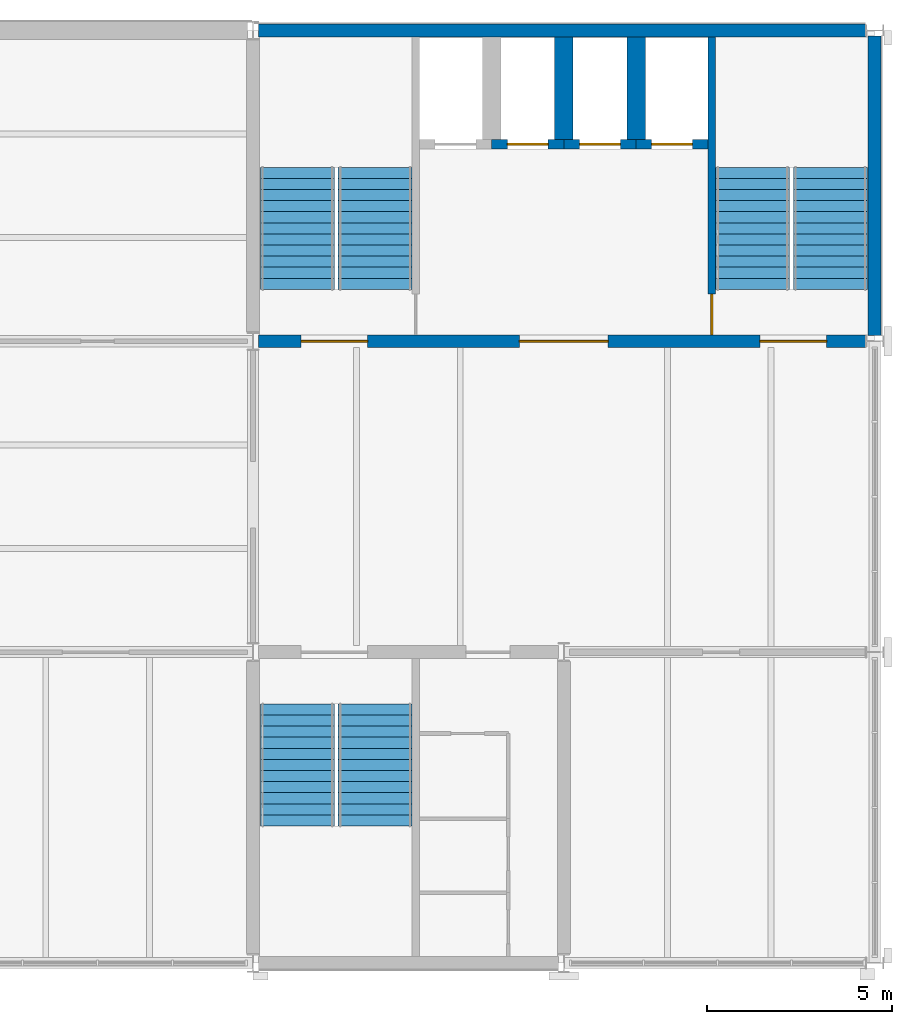
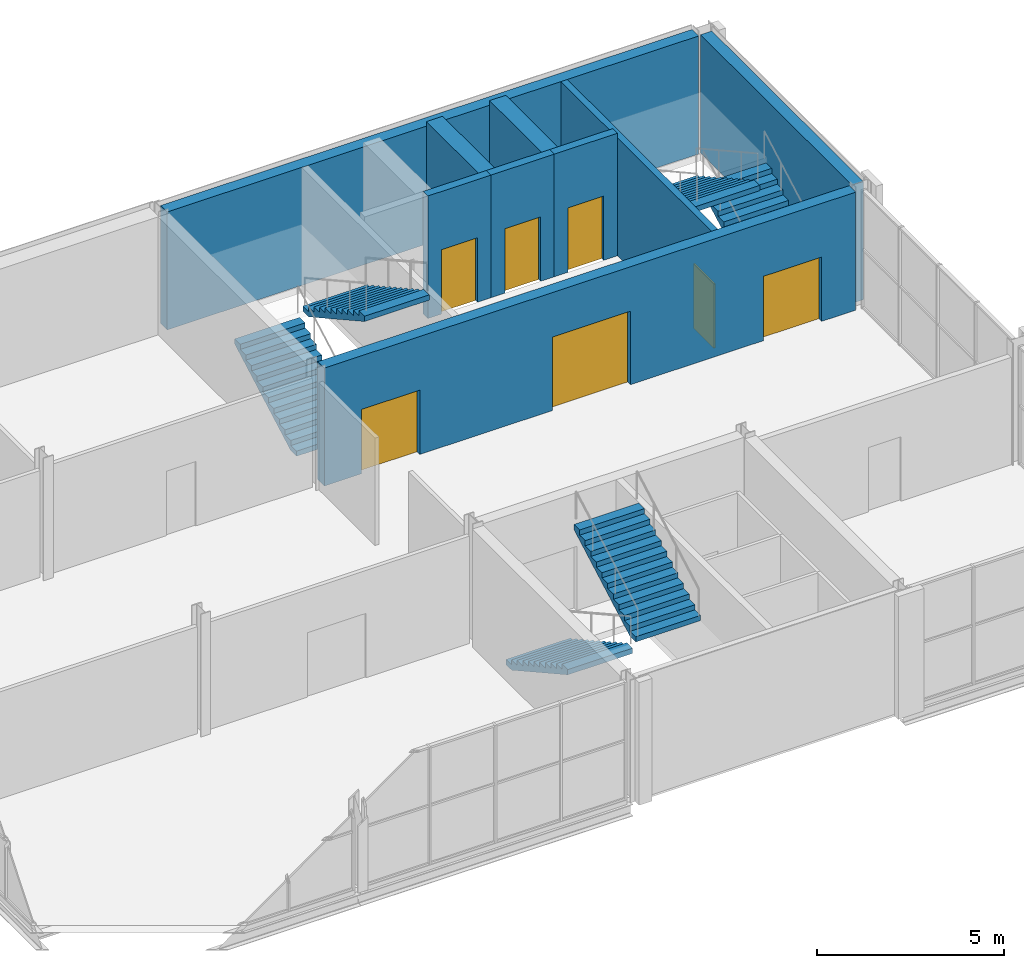
# One storey, part 9 of 12: 9 walls, 7 doors, 6 stair flights, 7 openings, 3 elements without a shape of their own.
"""IFC4 building model written with IfcOpenShell, lengths in metres."""

from ifc_helpers import new_model, si_unit, direction, frame, frame_2d, origin, place, context, subcontext, project, spatial, polyline, rectangle, outline, extrude, material, layer, layer_set, type_object, element, fill, aggregate, save


model = new_model("IFC4")

# Units and contexts
model_context = context("Model", 3, precision=1e-05, world=origin(), true_north=direction((0.0, 1.0)))
body_context = subcontext(model_context, "Body", "Model", "MODEL_VIEW")
ifc_project = project(units=[si_unit("LENGTHUNIT", "METRE"), si_unit("AREAUNIT", "SQUARE_METRE"), si_unit("VOLUMEUNIT", "CUBIC_METRE"), si_unit("PLANEANGLEUNIT", "RADIAN"), si_unit("MASSUNIT", "GRAM", prefix="KILO")], contexts=[model_context])

# Site, building, storey
site_placement = place(None, origin())
site = spatial("IfcSite", under=ifc_project, at=site_placement, CompositionType="ELEMENT")
building_placement = place(site_placement, origin())
building = spatial("IfcBuilding", under=site, at=building_placement, Name="Galleria Vessillo Department Store", CompositionType="ELEMENT")
storey_placement = place(building_placement, frame((0.0, 0.0, 43.60009765625)))
storey = spatial("IfcBuildingStorey", under=building, at=storey_placement, Name="L09", CompositionType="ELEMENT", Elevation=43.60009765625)

# Walls
ifc_material_1 = material(Name="Solid clay block masonry", Category="masonry")
ifc_layer_1 = layer(ifc_material_1, 0.5)
ifc_layer_set_1 = layer_set([ifc_layer_1], Name="Solid clay block masonry")
wall_type_1 = type_object("IfcWallType", Name="Lift shaft partition wall 500 mm", PredefinedType="SOLIDWALL", material=ifc_layer_set_1)
for number, where, z_axis, x_axis, name in (
    (1, (109.199951171875, 62.824951171875, 0.0), (0.0, 0.0, 1.0), (0.0, -1.0, 0.0), "Lift shaft partition wall T2 L09"),
    (2, (111.14990234375, 62.824951171875, 0.0), (0.0, 0.0, 1.0), (0.0, -1.0, 0.0), "Lift shaft partition wall T3 L09"),
):
    element("IfcWall", number, at=place(storey_placement, frame(where, z_axis=z_axis, x_axis=x_axis)), inside=storey, type_object=wall_type_1, Name=name, PredefinedType="SOLIDWALL", context=body_context, shape_type="SweptSolid", body=[
        extrude(rectangle(XDim=2.77490234375, YDim=0.5, at=frame_2d((1.387451171875, 0.0))), origin(), (0.0, 0.0, 1.0), 4.0),
    ])

# Wall, opening, door
ifc_material_2 = material(Name="Solid clay block masonry", Category="masonry")
ifc_layer_2 = layer(ifc_material_2, 0.25)
ifc_layer_set_2 = layer_set([ifc_layer_2], Name="Solid clay block masonry")
wall_type_2 = type_object("IfcWallType", Name="Lift shaft wall 250 mm", PredefinedType="SOLIDWALL", material=ifc_layer_set_2)
wall_1_placement = place(storey_placement, frame((107.25, 59.925048828125, 0.0), z_axis=(0.0, 0.0, 1.0), x_axis=(1.0, 0.0, 0.0)))
wall_1 = element("IfcWall", 3, at=wall_1_placement, inside=storey, type_object=wall_type_2, Name="Lift shaft wall T2 landing side L09", PredefinedType="SOLIDWALL", context=body_context, shape_type="SweptSolid", body=[
    extrude(rectangle(XDim=1.949951171875, YDim=0.25, at=frame_2d((0.97509765625, 0.0))), origin(), (0.0, 0.0, 1.0), 4.0),
])
opening_1_placement = place(wall_1_placement, frame((0.425048828125, 0.0, 0.0)))
opening_1 = element("IfcOpeningElement", 4, at=opening_1_placement, cuts=wall_1, Name="Opening LD110", PredefinedType="OPENING", context=body_context, shape_type="SweptSolid", body=[
    extrude(rectangle(XDim=1.10009765625, YDim=2.10009765625, at=frame_2d((0.550048828125, 1.050048828125))), frame((0.0, 0.135009765625, 0.0), z_axis=(0.0, -1.0, 0.0), x_axis=(1.0, 0.0, 0.0)), (0.0, 0.0, 1.0), 0.27001953125),
])
ifc_material_3 = material(Name="Stainless steel lift door panel", Category="steel")
door_type_1 = type_object("IfcDoorType", Name="Lift landing door LD110 sliding 1100 x 2100", OperationType="SLIDING_TO_LEFT", PredefinedType="DOOR", material=ifc_material_3)
door_1_placement = place(opening_1_placement, frame((1.10009765625, 0.0, 0.0), z_axis=(0.0, 0.0, 1.0), x_axis=(-1.0, 0.0, 0.0)))
door_1 = element("IfcDoor", 5, at=door_1_placement, inside=storey, type_object=door_type_1, Name="Lift landing door T2 L09", OperationType="SLIDING_TO_RIGHT", OverallHeight=2.10009765625, OverallWidth=1.10009765625, PredefinedType="DOOR", context=body_context, shape_type="SweptSolid", body=[
    extrude(rectangle(XDim=1.10009765625, YDim=2.10009765625, at=frame_2d((0.550048828125, 1.050048828125))), frame((0.0, 0.02490234375, 0.0), z_axis=(0.0, -1.0, 0.0), x_axis=(1.0, 0.0, 0.0)), (0.0, 0.0, 1.0), 0.050048828125),
])
fill(opening_1, door_1)

wall_2_placement = place(storey_placement, frame((109.199951171875, 59.925048828125, 0.0), z_axis=(0.0, 0.0, 1.0), x_axis=(1.0, 0.0, 0.0)))
wall_2 = element("IfcWall", 6, at=wall_2_placement, inside=storey, type_object=wall_type_2, Name="Lift shaft wall T3 landing side L09", PredefinedType="SOLIDWALL", context=body_context, shape_type="SweptSolid", body=[
    extrude(rectangle(XDim=1.949951171875, YDim=0.25, at=frame_2d((0.97509765625, 0.0))), origin(), (0.0, 0.0, 1.0), 4.0),
])
opening_2_placement = place(wall_2_placement, frame((0.425048828125, 0.0, 0.0)))
opening_2 = element("IfcOpeningElement", 7, at=opening_2_placement, cuts=wall_2, Name="Opening LD111", PredefinedType="OPENING", context=body_context, shape_type="SweptSolid", body=[
    extrude(rectangle(XDim=1.10009765625, YDim=2.10009765625, at=frame_2d((0.550048828125, 1.050048828125))), frame((0.0, 0.135009765625, 0.0), z_axis=(0.0, -1.0, 0.0), x_axis=(1.0, 0.0, 0.0)), (0.0, 0.0, 1.0), 0.27001953125),
])
door_2_placement = place(opening_2_placement, frame((1.10009765625, 0.0, 0.0), z_axis=(0.0, 0.0, 1.0), x_axis=(-1.0, 0.0, 0.0)))
door_2 = element("IfcDoor", 8, at=door_2_placement, inside=storey, type_object=door_type_1, Name="Lift landing door T3 L09", OperationType="SLIDING_TO_RIGHT", OverallHeight=2.10009765625, OverallWidth=1.10009765625, PredefinedType="DOOR", context=body_context, shape_type="SweptSolid", body=[
    extrude(rectangle(XDim=1.10009765625, YDim=2.10009765625, at=frame_2d((0.550048828125, 1.050048828125))), frame((0.0, 0.02490234375, 0.0), z_axis=(0.0, -1.0, 0.0), x_axis=(1.0, 0.0, 0.0)), (0.0, 0.0, 1.0), 0.050048828125),
])
fill(opening_2, door_2)

wall_3_placement = place(storey_placement, frame((111.14990234375, 59.925048828125, 0.0), z_axis=(0.0, 0.0, 1.0), x_axis=(1.0, 0.0, 0.0)))
wall_3 = element("IfcWall", 9, at=wall_3_placement, inside=storey, type_object=wall_type_2, Name="Lift shaft wall T4 landing side L09", PredefinedType="SOLIDWALL", context=body_context, shape_type="SweptSolid", body=[
    extrude(rectangle(XDim=1.9501953125, YDim=0.25, at=frame_2d((0.97509765625, 0.0))), origin(), (0.0, 0.0, 1.0), 4.0),
])
opening_3_placement = place(wall_3_placement, frame((0.425048828125, 0.0, 0.0)))
opening_3 = element("IfcOpeningElement", 10, at=opening_3_placement, cuts=wall_3, Name="Opening LD112", PredefinedType="OPENING", context=body_context, shape_type="SweptSolid", body=[
    extrude(rectangle(XDim=1.10009765625, YDim=2.10009765625, at=frame_2d((0.550048828125, 1.050048828125))), frame((0.0, 0.135009765625, 0.0), z_axis=(0.0, -1.0, 0.0), x_axis=(1.0, 0.0, 0.0)), (0.0, 0.0, 1.0), 0.27001953125),
])
door_3_placement = place(opening_3_placement, frame((1.10009765625, 0.0, 0.0), z_axis=(0.0, 0.0, 1.0), x_axis=(-1.0, 0.0, 0.0)))
door_3 = element("IfcDoor", 11, at=door_3_placement, inside=storey, type_object=door_type_1, Name="Lift landing door T4 L09", OperationType="SLIDING_TO_LEFT", OverallHeight=2.10009765625, OverallWidth=1.10009765625, PredefinedType="DOOR", context=body_context, shape_type="SweptSolid", body=[
    extrude(rectangle(XDim=1.10009765625, YDim=2.10009765625, at=frame_2d((0.550048828125, 1.050048828125))), frame((0.0, 0.02490234375, 0.0), z_axis=(0.0, -1.0, 0.0), x_axis=(1.0, 0.0, 0.0)), (0.0, 0.0, 1.0), 0.050048828125),
])
fill(opening_3, door_3)

# Wall, openings, doors
ifc_material_4 = material(Name="Concrete C32/40 reinforced", Category="concrete")
ifc_layer_3 = layer(ifc_material_4, 0.35009765625)
ifc_layer_set_3 = layer_set([ifc_layer_3], Name="Concrete C32/40 reinforced")
wall_type_3 = type_object("IfcWallType", Name="Reinforced concrete core wall 350 mm", PredefinedType="SHEAR", material=ifc_layer_set_3)
wall_4_placement = place(storey_placement, frame((100.949951171875, 54.60009765625, 0.0), z_axis=(0.0, 0.0, 1.0), x_axis=(1.0, 0.0, 0.0)))
wall_4 = element("IfcWall", 12, at=wall_4_placement, inside=storey, type_object=wall_type_3, Name="S-CW-TC-INTERIOR-L09", PredefinedType="SHEAR", context=body_context, shape_type="SweptSolid", body=[
    extrude(rectangle(XDim=16.400146484375, YDim=0.35009765625, at=frame_2d((8.2001953125, 0.0))), origin(), (0.0, 0.0, 1.0), 3.85009765625),
])
opening_4_placement = place(wall_4_placement, frame((1.14990234375, 0.0, 0.0)))
opening_4 = element("IfcOpeningElement", 13, at=opening_4_placement, cuts=wall_4, Name="Opening D5287", PredefinedType="OPENING", context=body_context, shape_type="SweptSolid", body=[
    extrude(rectangle(XDim=1.800048828125, YDim=2.10009765625, at=frame_2d((0.89990234375, 1.050048828125))), frame((0.0, 0.18505859375, 0.0), z_axis=(0.0, -1.0, 0.0), x_axis=(1.0, 0.0, 0.0)), (0.0, 0.0, 1.0), 0.3701171875),
])
opening_5_placement = place(wall_4_placement, frame((13.5498046875, 0.0, 0.0)))
opening_5 = element("IfcOpeningElement", 14, at=opening_5_placement, cuts=wall_4, Name="Opening D5288", PredefinedType="OPENING", context=body_context, shape_type="SweptSolid", body=[
    extrude(rectangle(XDim=1.800048828125, YDim=2.10009765625, at=frame_2d((0.89990234375, 1.050048828125))), frame((0.0, 0.18505859375, 0.0), z_axis=(0.0, -1.0, 0.0), x_axis=(1.0, 0.0, 0.0)), (0.0, 0.0, 1.0), 0.3701171875),
])
opening_6_placement = place(wall_4_placement, frame((7.0498046875, 0.0, 0.0)))
opening_6 = element("IfcOpeningElement", 15, at=opening_6_placement, cuts=wall_4, Name="Opening D5289", PredefinedType="OPENING", context=body_context, shape_type="SweptSolid", body=[
    extrude(rectangle(XDim=2.39990234375, YDim=2.39990234375, at=frame_2d((1.199951171875, 1.199951171875))), frame((0.0, 0.18505859375, 0.0), z_axis=(0.0, -1.0, 0.0), x_axis=(1.0, 0.0, 0.0)), (0.0, 0.0, 1.0), 0.3701171875),
])
ifc_material_5 = material(Name="Fire-rated steel door leaf", Category="steel")
door_type_2 = type_object("IfcDoorType", Name="Door D180F double leaf 1800 x 2100", OperationType="DOUBLE_DOOR_SINGLE_SWING", PredefinedType="DOOR", material=ifc_material_5)
door_4_placement = place(opening_4_placement, origin())
door_4 = element("IfcDoor", 16, at=door_4_placement, inside=storey, type_object=door_type_2, Name="Lobby door TC-ST8-FLOOR L09", OperationType="DOUBLE_DOOR_SINGLE_SWING", OverallHeight=2.10009765625, OverallWidth=1.800048828125, PredefinedType="DOOR", context=body_context, shape_type="SweptSolid", body=[
    extrude(rectangle(XDim=1.800048828125, YDim=2.10009765625, at=frame_2d((0.89990234375, 1.050048828125))), frame((0.0, 0.02490234375, 0.0), z_axis=(0.0, -1.0, 0.0), x_axis=(1.0, 0.0, 0.0)), (0.0, 0.0, 1.0), 0.050048828125),
])
fill(opening_4, door_4)
door_5_placement = place(opening_5_placement, origin())
door_5 = element("IfcDoor", 17, at=door_5_placement, inside=storey, type_object=door_type_2, Name="Lobby door TC-ST9-FLOOR L09", OperationType="DOUBLE_DOOR_SINGLE_SWING", OverallHeight=2.10009765625, OverallWidth=1.800048828125, PredefinedType="DOOR", context=body_context, shape_type="SweptSolid", body=[
    extrude(rectangle(XDim=1.800048828125, YDim=2.10009765625, at=frame_2d((0.89990234375, 1.050048828125))), frame((0.0, 0.02490234375, 0.0), z_axis=(0.0, -1.0, 0.0), x_axis=(1.0, 0.0, 0.0)), (0.0, 0.0, 1.0), 0.050048828125),
])
fill(opening_5, door_5)
ifc_material_6 = material(Name="Fire-rated steel door leaf", Category="steel")
door_type_3 = type_object("IfcDoorType", Name="Door D240F double leaf 2400 x 2400", OperationType="DOUBLE_DOOR_SINGLE_SWING", PredefinedType="DOOR", material=ifc_material_6)
door_6_placement = place(opening_6_placement, frame((2.39990234375, 0.0, 0.0), z_axis=(0.0, 0.0, 1.0), x_axis=(-1.0, 0.0, 0.0)))
door_6 = element("IfcDoor", 18, at=door_6_placement, inside=storey, type_object=door_type_3, Name="Lobby door TC-LOBBY-FLOOR L09", OperationType="DOUBLE_DOOR_SINGLE_SWING", OverallHeight=2.39990234375, OverallWidth=2.39990234375, PredefinedType="DOOR", context=body_context, shape_type="SweptSolid", body=[
    extrude(rectangle(XDim=2.39990234375, YDim=2.39990234375, at=frame_2d((1.199951171875, 1.199951171875))), frame((0.0, 0.02490234375, 0.0), z_axis=(0.0, -1.0, 0.0), x_axis=(1.0, 0.0, 0.0)), (0.0, 0.0, 1.0), 0.050048828125),
])
fill(opening_6, door_6)

# Walls
ifc_material_7 = material(Name="Concrete C32/40 reinforced", Category="concrete")
ifc_layer_4 = layer(ifc_material_7, 0.35009765625)
ifc_layer_set_4 = layer_set([ifc_layer_4], Name="Concrete C32/40 reinforced")
wall_type_4 = type_object("IfcWallType", Name="Reinforced concrete core wall 350 mm, external", PredefinedType="SHEAR", material=ifc_layer_set_4)
wall_5_placement = place(storey_placement, frame((100.949951171875, 63.0, 0.0), z_axis=(0.0, 0.0, 1.0), x_axis=(1.0, 0.0, 0.0)))
element("IfcWall", 19, at=wall_5_placement, inside=storey, type_object=wall_type_4, Name="S-CW-TC-PARTY-L09", PredefinedType="SHEAR", context=body_context, shape_type="SweptSolid", body=[
    extrude(rectangle(XDim=16.400146484375, YDim=0.35009765625, at=frame_2d((8.2001953125, 0.0))), origin(), (0.0, 0.0, 1.0), 3.85009765625),
])
wall_6_placement = place(storey_placement, frame((117.60009765625, 54.75, 0.0), z_axis=(0.0, 0.0, 1.0), x_axis=(0.0, 1.0, 0.0)))
element("IfcWall", 20, at=wall_6_placement, inside=storey, type_object=wall_type_4, Name="S-CW-TC-EAST-L09", PredefinedType="SHEAR", context=body_context, shape_type="SweptSolid", body=[
    extrude(rectangle(XDim=8.10009765625, YDim=0.35009765625, at=frame_2d((4.050048828125, 0.0))), origin(), (0.0, 0.0, 1.0), 3.85009765625),
])

# Wall, opening, door
ifc_material_8 = material(Name="Concrete C32/40 reinforced", Category="concrete")
ifc_layer_5 = layer(ifc_material_8, 0.199951171875)
ifc_layer_set_5 = layer_set([ifc_layer_5], Name="Concrete C32/40 reinforced")
wall_type_5 = type_object("IfcWallType", Name="Reinforced concrete stair enclosure wall 200 mm", PredefinedType="SHEAR", material=ifc_layer_set_5)
wall_7_placement = place(storey_placement, frame((113.199951171875, 62.824951171875, 0.0), z_axis=(0.0, 0.0, 1.0), x_axis=(0.0, -1.0, 0.0)))
wall_7 = element("IfcWall", 21, at=wall_7_placement, inside=storey, type_object=wall_type_5, Name="Stair enclosure wall TC L09", PredefinedType="SHEAR", context=body_context, shape_type="SweptSolid", body=[
    extrude(rectangle(XDim=8.050048828125, YDim=0.199951171875, at=frame_2d((4.02490234375, 0.0))), origin(), (0.0, 0.0, 1.0), 3.849853515625),
])
opening_7_placement = place(wall_7_placement, frame((6.949951171875, 0.0, 0.0)))
opening_7 = element("IfcOpeningElement", 22, at=opening_7_placement, cuts=wall_7, Name="Opening D5286", PredefinedType="OPENING", context=body_context, shape_type="SweptSolid", body=[
    extrude(rectangle(XDim=1.11009765625, YDim=2.10009765625, at=frame_2d((0.554931640625, 1.050048828125))), frame((0.0, 0.10986328125, 0.0), z_axis=(0.0, -1.0, 0.0), x_axis=(1.0, 0.0, 0.0)), (0.0, 0.0, 1.0), 0.219970703125),
])
ifc_material_9 = material(Name="Fire-rated steel door leaf", Category="steel")
door_type_4 = type_object("IfcDoorType", Name="Door D110F stair door 1100 x 2100", OperationType="SINGLE_SWING_LEFT", PredefinedType="DOOR", material=ifc_material_9)
door_7_placement = place(opening_7_placement, origin())
door_7 = element("IfcDoor", 23, at=door_7_placement, inside=storey, type_object=door_type_4, Name="Stair door TC-ST9-LOBBY L09", OperationType="SINGLE_SWING_RIGHT", OverallHeight=2.10009765625, OverallWidth=1.10009765625, PredefinedType="DOOR", context=body_context, shape_type="SweptSolid", body=[
    extrude(rectangle(XDim=1.10009765625, YDim=2.10009765625, at=frame_2d((0.550048828125, 1.050048828125))), frame((0.0, 0.02490234375, 0.0), z_axis=(0.0, -1.0, 0.0), x_axis=(1.0, 0.0, 0.0)), (0.0, 0.0, 1.0), 0.050048828125),
])
fill(opening_7, door_7)

# Stair, stair flights
ifc_material_10 = material(Name="Concrete C32/40", Category="concrete")
stair_type = type_object("IfcStairType", Name="Half-turn escape stair 2000 mm, 24 risers of 167 mm", PredefinedType="HALF_TURN_STAIR", material=ifc_material_10)
stair_1_placement = place(storey_placement, origin())
stair_1 = element("IfcStair", 24, at=stair_1_placement, inside=storey, type_object=stair_type, Name="Stair ST8 L09", PredefinedType="HALF_TURN_STAIR")
ifc_material_11 = material(Name="Concrete C32/40", Category="concrete")
stair_flight_type = type_object("IfcStairFlightType", Name="Stair flight 2000 mm, 12 risers of 167 mm", PredefinedType="STRAIGHT", material=ifc_material_11)
stair_flight_1_placement = place(storey_placement, frame((102.0, 55.99951171875, 0.0), z_axis=(0.0, 0.0, 1.0), x_axis=(0.0, 1.0, 0.0)))
stair_flight_1 = element("IfcStairFlight", 25, at=stair_flight_1_placement, type_object=stair_flight_type, Name="ST8 flight 1", NumberOfRisers=12, NumberOfTreads=11, PredefinedType="STRAIGHT", RiserHeight=0.166666667, TreadLength=0.3, context=body_context, shape_type="SweptSolid", body=[
    extrude(outline(polyline([(0.0, 0.0), (0.0, 0.166748046875), (0.300048828125, 0.166748046875), (0.300048828125, 0.333251953125), (0.60009765625, 0.333251953125), (0.60009765625, 0.5), (0.89990234375, 0.5), (0.89990234375, 0.666748046875), (1.199951171875, 0.666748046875), (1.199951171875, 0.833251953125), (1.5, 0.833251953125), (1.5, 1.0), (1.800048828125, 1.0), (1.800048828125, 1.166748046875), (2.10009765625, 1.166748046875), (2.10009765625, 1.333251953125), (2.39990234375, 1.333251953125), (2.39990234375, 1.5), (2.699951171875, 1.5), (2.699951171875, 1.666748046875), (3.0, 1.666748046875), (3.0, 1.833251953125), (3.300048828125, 1.833251953125), (3.300048828125, 2.0), (3.300048828125, 1.661865234375), (0.30859375, 0.0), (0.0, 0.0)])), frame((0.0, 1.0, 0.0), z_axis=(0.0, -1.0, 0.0), x_axis=(1.0, 0.0, 0.0)), (0.0, 0.0, 1.0), 2.0),
])
stair_flight_2_placement = place(storey_placement, frame((104.10009765625, 59.299560546875, 2.0), z_axis=(0.0, 0.0, 1.0), x_axis=(0.0, -1.0, 0.0)))
stair_flight_2 = element("IfcStairFlight", 26, at=stair_flight_2_placement, type_object=stair_flight_type, Name="ST8 flight 2", NumberOfRisers=12, NumberOfTreads=11, PredefinedType="STRAIGHT", RiserHeight=0.166666667, TreadLength=0.3, context=body_context, shape_type="SweptSolid", body=[
    extrude(outline(polyline([(0.0, 0.0), (0.0, 0.166748046875), (0.300048828125, 0.166748046875), (0.300048828125, 0.333251953125), (0.60009765625, 0.333251953125), (0.60009765625, 0.5), (0.89990234375, 0.5), (0.89990234375, 0.666748046875), (1.199951171875, 0.666748046875), (1.199951171875, 0.833251953125), (1.5, 0.833251953125), (1.5, 1.0), (1.800048828125, 1.0), (1.800048828125, 1.166748046875), (2.10009765625, 1.166748046875), (2.10009765625, 1.333251953125), (2.39990234375, 1.333251953125), (2.39990234375, 1.5), (2.699951171875, 1.5), (2.699951171875, 1.666748046875), (3.0, 1.666748046875), (3.0, 1.833251953125), (3.300048828125, 1.833251953125), (3.300048828125, 2.0), (3.300048828125, 1.661865234375), (0.30859375, 0.0), (0.0, 0.0)])), frame((0.0, 1.0, 0.0), z_axis=(0.0, -1.0, 0.0), x_axis=(1.0, 0.0, 0.0)), (0.0, 0.0, 1.0), 2.0),
])
aggregate(stair_1, [stair_flight_1, stair_flight_2])

stair_2_placement = place(storey_placement, origin())
stair_2 = element("IfcStair", 27, at=stair_2_placement, inside=storey, type_object=stair_type, Name="Stair ST9 L09", PredefinedType="HALF_TURN_STAIR")
stair_flight_3_placement = place(storey_placement, frame((116.39990234375, 55.99951171875, 0.0), z_axis=(0.0, 0.0, 1.0), x_axis=(0.0, 1.0, 0.0)))
stair_flight_3 = element("IfcStairFlight", 28, at=stair_flight_3_placement, type_object=stair_flight_type, Name="ST9 flight 1", NumberOfRisers=12, NumberOfTreads=11, PredefinedType="STRAIGHT", RiserHeight=0.166666667, TreadLength=0.3, context=body_context, shape_type="SweptSolid", body=[
    extrude(outline(polyline([(0.0, 0.0), (0.0, 0.166748046875), (0.300048828125, 0.166748046875), (0.300048828125, 0.333251953125), (0.60009765625, 0.333251953125), (0.60009765625, 0.5), (0.89990234375, 0.5), (0.89990234375, 0.666748046875), (1.199951171875, 0.666748046875), (1.199951171875, 0.833251953125), (1.5, 0.833251953125), (1.5, 1.0), (1.800048828125, 1.0), (1.800048828125, 1.166748046875), (2.10009765625, 1.166748046875), (2.10009765625, 1.333251953125), (2.39990234375, 1.333251953125), (2.39990234375, 1.5), (2.699951171875, 1.5), (2.699951171875, 1.666748046875), (3.0, 1.666748046875), (3.0, 1.833251953125), (3.300048828125, 1.833251953125), (3.300048828125, 2.0), (3.300048828125, 1.661865234375), (0.30859375, 0.0), (0.0, 0.0)])), frame((0.0, 1.0, 0.0), z_axis=(0.0, -1.0, 0.0), x_axis=(1.0, 0.0, 0.0)), (0.0, 0.0, 1.0), 2.0),
])
stair_flight_4_placement = place(storey_placement, frame((114.300048828125, 59.299560546875, 2.0), z_axis=(0.0, 0.0, 1.0), x_axis=(0.0, -1.0, 0.0)))
stair_flight_4 = element("IfcStairFlight", 29, at=stair_flight_4_placement, type_object=stair_flight_type, Name="ST9 flight 2", NumberOfRisers=12, NumberOfTreads=11, PredefinedType="STRAIGHT", RiserHeight=0.166666667, TreadLength=0.3, context=body_context, shape_type="SweptSolid", body=[
    extrude(outline(polyline([(0.0, 0.0), (0.0, 0.166748046875), (0.300048828125, 0.166748046875), (0.300048828125, 0.333251953125), (0.60009765625, 0.333251953125), (0.60009765625, 0.5), (0.89990234375, 0.5), (0.89990234375, 0.666748046875), (1.199951171875, 0.666748046875), (1.199951171875, 0.833251953125), (1.5, 0.833251953125), (1.5, 1.0), (1.800048828125, 1.0), (1.800048828125, 1.166748046875), (2.10009765625, 1.166748046875), (2.10009765625, 1.333251953125), (2.39990234375, 1.333251953125), (2.39990234375, 1.5), (2.699951171875, 1.5), (2.699951171875, 1.666748046875), (3.0, 1.666748046875), (3.0, 1.833251953125), (3.300048828125, 1.833251953125), (3.300048828125, 2.0), (3.300048828125, 1.661865234375), (0.30859375, 0.0), (0.0, 0.0)])), frame((0.0, 1.0, 0.0), z_axis=(0.0, -1.0, 0.0), x_axis=(1.0, 0.0, 0.0)), (0.0, 0.0, 1.0), 2.0),
])
aggregate(stair_2, [stair_flight_3, stair_flight_4])

stair_3_placement = place(storey_placement, origin())
stair_3 = element("IfcStair", 30, at=stair_3_placement, inside=storey, type_object=stair_type, Name="Stair ST12 L09", PredefinedType="HALF_TURN_STAIR")
stair_flight_5_placement = place(storey_placement, frame((102.0, 44.800537109375, 0.0), z_axis=(0.0, 0.0, 1.0), x_axis=(0.0, -1.0, 0.0)))
stair_flight_5 = element("IfcStairFlight", 31, at=stair_flight_5_placement, type_object=stair_flight_type, Name="ST12 flight 1", NumberOfRisers=12, NumberOfTreads=11, PredefinedType="STRAIGHT", RiserHeight=0.166666667, TreadLength=0.3, context=body_context, shape_type="SweptSolid", body=[
    extrude(outline(polyline([(0.0, 0.0), (0.0, 0.166748046875), (0.300048828125, 0.166748046875), (0.300048828125, 0.333251953125), (0.60009765625, 0.333251953125), (0.60009765625, 0.5), (0.89990234375, 0.5), (0.89990234375, 0.666748046875), (1.199951171875, 0.666748046875), (1.199951171875, 0.833251953125), (1.5, 0.833251953125), (1.5, 1.0), (1.800048828125, 1.0), (1.800048828125, 1.166748046875), (2.10009765625, 1.166748046875), (2.10009765625, 1.333251953125), (2.39990234375, 1.333251953125), (2.39990234375, 1.5), (2.699951171875, 1.5), (2.699951171875, 1.666748046875), (3.0, 1.666748046875), (3.0, 1.833251953125), (3.300048828125, 1.833251953125), (3.300048828125, 2.0), (3.300048828125, 1.661865234375), (0.30859375, 0.0), (0.0, 0.0)])), frame((0.0, 1.0, 0.0), z_axis=(0.0, -1.0, 0.0), x_axis=(1.0, 0.0, 0.0)), (0.0, 0.0, 1.0), 2.0),
])
stair_flight_6_placement = place(storey_placement, frame((104.10009765625, 41.50048828125, 2.0), z_axis=(0.0, 0.0, 1.0), x_axis=(0.0, 1.0, 0.0)))
stair_flight_6 = element("IfcStairFlight", 32, at=stair_flight_6_placement, type_object=stair_flight_type, Name="ST12 flight 2", NumberOfRisers=12, NumberOfTreads=11, PredefinedType="STRAIGHT", RiserHeight=0.166666667, TreadLength=0.3, context=body_context, shape_type="SweptSolid", body=[
    extrude(outline(polyline([(0.0, 0.0), (0.0, 0.166748046875), (0.300048828125, 0.166748046875), (0.300048828125, 0.333251953125), (0.60009765625, 0.333251953125), (0.60009765625, 0.5), (0.89990234375, 0.5), (0.89990234375, 0.666748046875), (1.199951171875, 0.666748046875), (1.199951171875, 0.833251953125), (1.5, 0.833251953125), (1.5, 1.0), (1.800048828125, 1.0), (1.800048828125, 1.166748046875), (2.10009765625, 1.166748046875), (2.10009765625, 1.333251953125), (2.39990234375, 1.333251953125), (2.39990234375, 1.5), (2.699951171875, 1.5), (2.699951171875, 1.666748046875), (3.0, 1.666748046875), (3.0, 1.833251953125), (3.300048828125, 1.833251953125), (3.300048828125, 2.0), (3.300048828125, 1.661865234375), (0.30859375, 0.0), (0.0, 0.0)])), frame((0.0, 1.0, 0.0), z_axis=(0.0, -1.0, 0.0), x_axis=(1.0, 0.0, 0.0)), (0.0, 0.0, 1.0), 2.0),
])
aggregate(stair_3, [stair_flight_5, stair_flight_6])

save(model, "model.ifc")
